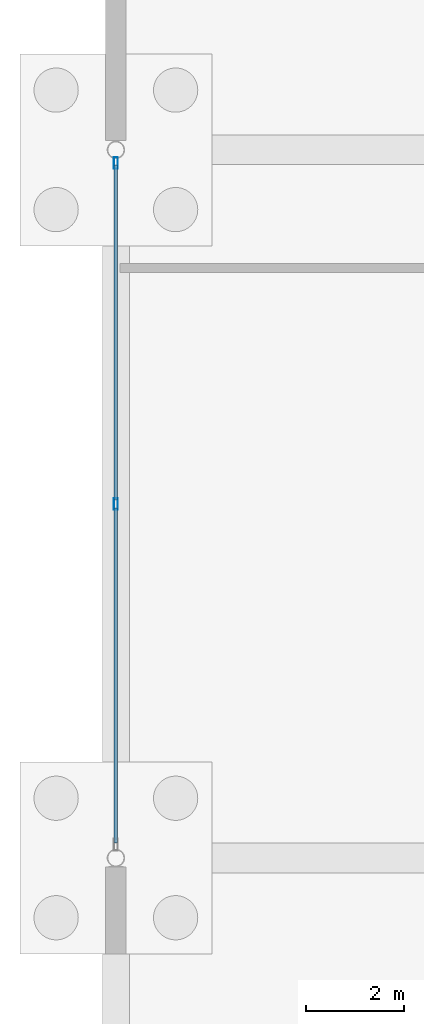
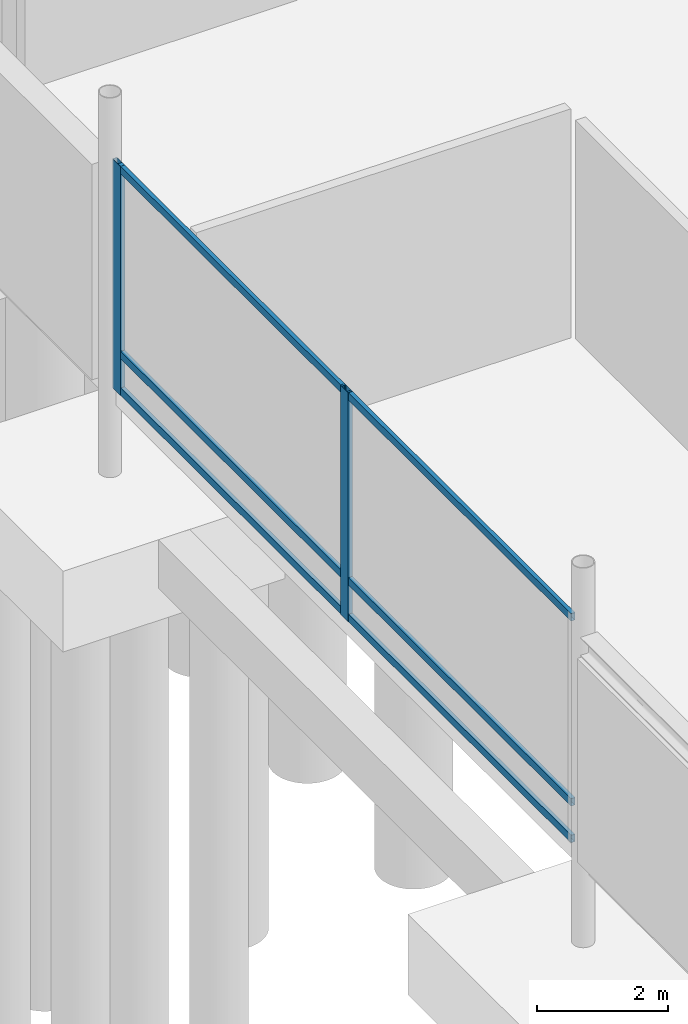
# One storey, part 64 of 192: 8 members, 1 element without a shape of its own.
"""IFC4 building model written with IfcOpenShell, lengths in metres."""

import ifcopenshell
import ifcopenshell.guid

model = None  # the IFC model being written
_history = None  # IfcOwnerHistory: only IFC2X3 demands one
_inside = {}  # id of a spatial element -> (the spatial element, [elements in it])
_under = {}  # id of a project, library or spatial element -> (it, [spatial elements below it])
_declared = {}  # id of a project -> (the project, [libraries it declares])
_typed = {}  # id of a type object -> (the type object, [elements of that type])
_made_of = {}  # id of a material, layer set ... -> (it, [elements and type objects made of it])


def new_model(schema):
    """Start an empty IFC model of exactly this schema.

    Asked for "IFC4X3", IfcOpenShell would pick the latest addendum, in which some entities
    have other attributes; the version numbers below select the first issue.
    IFC2X3 requires an IfcOwnerHistory on every rooted entity: one is made here for all.
    """
    global model, _history
    if schema == "IFC4X3":
        model = ifcopenshell.file(schema_version=(4, 3, 0, 0))
    else:
        model = ifcopenshell.file(schema=schema)
    _inside.clear()
    _under.clear()
    _declared.clear()
    _typed.clear()
    _made_of.clear()
    _history = None
    if model.schema == "IFC2X3":
        org = make("IfcOrganization", Name="unknown")
        user = make(
            "IfcPersonAndOrganization",
            ThePerson=make("IfcPerson", FamilyName="unknown"),
            TheOrganization=org,
        )
        app = make(
            "IfcApplication",
            ApplicationDeveloper=org,
            Version="unknown",
            ApplicationFullName="unknown",
            ApplicationIdentifier="unknown",
        )
        _history = make(
            "IfcOwnerHistory",
            OwningUser=user,
            OwningApplication=app,
            ChangeAction="ADDED",
            CreationDate=0,
        )
    return model


def make(cls, **values):
    """One entity of the class cls with the attributes given. An attribute that is None is left unset."""
    return model.create_entity(
        cls, **{name: value for name, value in values.items() if value is not None}
    )


def rooted(cls, **values):
    """An entity with a GlobalId (a new one), such as an element, a storey or a relation."""
    return make(cls, GlobalId=ifcopenshell.guid.new(), OwnerHistory=_history, **values)


def si_unit(unit_type, name, prefix=None):
    """IfcSIUnit, for example si_unit("LENGTHUNIT", "METRE", prefix="MILLI")."""
    return make("IfcSIUnit", UnitType=unit_type, Prefix=prefix, Name=name)


def assignment(units):
    """IfcUnitAssignment: the units of a project."""
    return None if units is None else make("IfcUnitAssignment", Units=units)


def point(xyz):
    """IfcCartesianPoint."""
    return None if xyz is None else make("IfcCartesianPoint", Coordinates=xyz)


def direction(xyz):
    """IfcDirection."""
    return None if xyz is None else make("IfcDirection", DirectionRatios=xyz)


def frame(location, z_axis=None, x_axis=None):
    """IfcAxis2Placement3D, a coordinate frame: its origin and axes. An axis left out is left unset."""
    return make(
        "IfcAxis2Placement3D",
        Location=point(location),
        Axis=direction(z_axis),
        RefDirection=direction(x_axis),
    )


def frame_2d(location, x_axis=None):
    """IfcAxis2Placement2D, a coordinate frame in the plane: its origin and x axis."""
    return make(
        "IfcAxis2Placement2D", Location=point(location), RefDirection=direction(x_axis)
    )


def origin():
    """The frame at (0, 0, 0) with its axes left unset."""
    return frame((0.0, 0.0, 0.0))


def origin_2d():
    """The frame at (0, 0) in the plane with its x axis left unset."""
    return frame_2d((0.0, 0.0))


def place(relative_to, where):
    """IfcLocalPlacement: puts the frame where relative to a parent placement (None: the world)."""
    return make(
        "IfcLocalPlacement", PlacementRelTo=relative_to, RelativePlacement=where
    )


def context(
    kind, dimensions, precision=None, world=None, true_north=None, identifier=None
):
    """IfcGeometricRepresentationContext, for example the 3D "Model" context."""
    return make(
        "IfcGeometricRepresentationContext",
        ContextIdentifier=identifier,
        ContextType=kind,
        CoordinateSpaceDimension=dimensions,
        Precision=precision,
        WorldCoordinateSystem=world,
        TrueNorth=true_north,
    )


def subcontext(parent, identifier, kind, view, scale=None):
    """IfcGeometricRepresentationSubContext, for example "Body" below "Model"."""
    return make(
        "IfcGeometricRepresentationSubContext",
        ContextIdentifier=identifier,
        ContextType=kind,
        ParentContext=parent,
        TargetScale=scale,
        TargetView=view,
    )


def project(units=None, contexts=None):
    """IfcProject with its units and contexts."""
    return rooted(
        "IfcProject",
        Name="project",
        RepresentationContexts=contexts,
        UnitsInContext=assignment(units),
    )


def spatial(cls, under=None, at=None, **own):
    """A site, building, storey or space (cls), placed at a placement, below another one or the project."""
    s = rooted(cls, ObjectPlacement=at, **own)
    if under is not None:
        _under.setdefault(under.id(), (under, []))[1].append(s)
    return s


def profile(cls, at=None, kind="AREA", **sizes):
    """A parametric profile (cls). Its sizes go by their IFC names, for example OverallWidth=200.0."""
    return make(cls, ProfileType=kind, Position=at, **sizes)


def hollow_rectangle(**sizes):
    """IfcRectangleHollowProfileDef."""
    return profile("IfcRectangleHollowProfileDef", **sizes)


def extrude(swept, where, along, depth):
    """IfcExtrudedAreaSolid: the profile swept, set in the frame where, extruded along a direction by depth."""
    return make(
        "IfcExtrudedAreaSolid",
        SweptArea=swept,
        Position=where,
        ExtrudedDirection=direction(along),
        Depth=depth,
    )


def shape(context_of_items, identifier, shape_type, items):
    """IfcShapeRepresentation: the items that make up one representation, for example the "Body"."""
    return make(
        "IfcShapeRepresentation",
        ContextOfItems=context_of_items,
        RepresentationIdentifier=identifier,
        RepresentationType=shape_type,
        Items=items,
    )


def material(Name=None, Category=None):
    """IfcMaterial."""
    return make("IfcMaterial", Name=Name, Category=Category)


def material_profile(
    of_material, cross_section, Name=None, Category=None, Priority=None
):
    """IfcMaterialProfile: a cross section and its material."""
    return make(
        "IfcMaterialProfile",
        Name=Name,
        Material=of_material,
        Profile=cross_section,
        Priority=Priority,
        Category=Category,
    )


def profile_set(profiles, Name=None, composite=None):
    """IfcMaterialProfileSet."""
    return make(
        "IfcMaterialProfileSet",
        Name=Name,
        MaterialProfiles=profiles,
        CompositeProfile=composite,
    )


def made_of(thing, what):
    """Note that an element or type object is made of a material, layer set ...; save() writes the relation."""
    if what is not None:
        _made_of.setdefault(what.id(), (what, []))[1].append(thing)
    return thing


def type_object(cls, material=None, **own):
    """A type object (cls), such as IfcWallType, which elements share."""
    return made_of(rooted(cls, **own), material)


def element(
    cls,
    number,
    at=None,
    inside=None,
    cuts=None,
    type_object=None,
    material=None,
    context=None,
    identifier="Body",
    shape_type=None,
    held_by="IfcProductDefinitionShape",
    body=None,
    shapes=None,
    **own,
):
    """One element of the class cls, such as IfcWall. Its Tag is "e" and its number.

    at: its placement. inside: the storey or other place that contains it. cuts: it is an
    opening in that element (IfcRelVoidsElement). A single representation is given by context,
    identifier, shape_type and body (its items); several are given by shapes. held_by: the class
    of the entity that holds the representations. save() writes the other relations.
    """
    e = rooted(cls, Tag="e%d" % number, ObjectPlacement=at, **own)
    if body is not None:
        shapes = [shape(context, identifier, shape_type, body)]
    if shapes is not None:
        e.Representation = make(held_by, Representations=shapes)
    if inside is not None:
        _inside.setdefault(inside.id(), (inside, []))[1].append(e)
    if cuts is not None:
        rooted(
            "IfcRelVoidsElement", RelatingBuildingElement=cuts, RelatedOpeningElement=e
        )
    if type_object is not None:
        _typed.setdefault(type_object.id(), (type_object, []))[1].append(e)
    return made_of(e, material)


def aggregate(whole, parts):
    """IfcRelAggregates: a whole, such as a stair, and the parts it consists of."""
    return rooted("IfcRelAggregates", RelatingObject=whole, RelatedObjects=parts)


def save(model, path):
    """Write the relations noted so far, then the file.

    IfcRelAggregates (storeys below a building ...), IfcRelContainedInSpatialStructure (elements
    in a storey), IfcRelDefinesByType, IfcRelAssociatesMaterial and IfcRelDeclares: one each for
    every whole, place, type object, material and project.
    """
    for whole, parts in _under.values():
        aggregate(whole, parts)
    for where, things in _inside.values():
        rooted(
            "IfcRelContainedInSpatialStructure",
            RelatedElements=things,
            RelatingStructure=where,
        )
    for kind, things in _typed.values():
        rooted("IfcRelDefinesByType", RelatedObjects=things, RelatingType=kind)
    for what, things in _made_of.values():
        rooted("IfcRelAssociatesMaterial", RelatedObjects=things, RelatingMaterial=what)
    for by, libraries in _declared.values():
        rooted("IfcRelDeclares", RelatingContext=by, RelatedDefinitions=libraries)
    model.write(path)


model = new_model("IFC4")

# Units and contexts
model_context = context("Model", 3, precision=1e-05, world=origin(), true_north=direction((0.0, 1.0)))
body_context = subcontext(model_context, "Body", "Model", "MODEL_VIEW")
ifc_project = project(units=[si_unit("LENGTHUNIT", "METRE"), si_unit("AREAUNIT", "SQUARE_METRE"), si_unit("VOLUMEUNIT", "CUBIC_METRE"), si_unit("PLANEANGLEUNIT", "RADIAN"), si_unit("MASSUNIT", "GRAM", prefix="KILO")], contexts=[model_context])

# Site, building, storey
site_placement = place(None, origin())
site = spatial("IfcSite", under=ifc_project, at=site_placement, CompositionType="ELEMENT")
building_placement = place(site_placement, origin())
building = spatial("IfcBuilding", under=site, at=building_placement, Name="Cendralis Lancet Convention Centre", CompositionType="ELEMENT")
storey_placement = place(building_placement, origin())
storey = spatial("IfcBuildingStorey", under=building, at=storey_placement, Name="L00", CompositionType="ELEMENT", Elevation=0.0)

# Curtain wall, members
ifc_material = material(Name="Anodised bronze architectural aluminium", Category="aluminium")
curtain_wall_type = type_object("IfcCurtainWallType", Name="ARC-CW-GB01", PredefinedType="USERDEFINED", material=ifc_material)
curtain_wall_placement = place(storey_placement, origin())
curtain_wall = element("IfcCurtainWall", 1, at=curtain_wall_placement, inside=storey, type_object=curtain_wall_type, Name="L00 Curtain Wall CW-GB1 #094", ObjectType="CURTAIN WALL", PredefinedType="USERDEFINED")
ifc_material_profile_1 = material_profile(ifc_material, hollow_rectangle(XDim=0.080078125, YDim=0.239990234375, WallThickness=0.0048828125, at=origin_2d()), Name="AL-MULL 80x240x5.0")
ifc_profile_set_1 = profile_set([ifc_material_profile_1], Name="Anodised bronze architectural aluminium")
member_type_1 = type_object("IfcMemberType", Name="ARC-CW-ML03", PredefinedType="MULLION", material=ifc_profile_set_1)
member_1_placement = place(storey_placement, frame((0.0, 115.199951171875, 0.0), z_axis=(0.0, 0.0, 1.0), x_axis=(1.0, 0.0, 0.0)))
member_1 = element("IfcMember", 2, at=member_1_placement, type_object=member_type_1, Name="Mullion CW2-CW-GB1-L00-094-M1", PredefinedType="MULLION", context=body_context, shape_type="SweptSolid", body=[
    extrude(hollow_rectangle(XDim=0.080078125, YDim=0.239990234375, WallThickness=0.0048828125, at=origin_2d()), origin(), (0.0, 0.0, 1.0), 4.2548828125),
])
member_2_placement = place(storey_placement, frame((0.0, 122.132080078125, 0.0), z_axis=(0.0, 0.0, 1.0), x_axis=(1.0, 0.0, 0.0)))
member_2 = element("IfcMember", 3, at=member_2_placement, type_object=member_type_1, Name="Mullion CW2-CW-GB1-L00-094-M2", PredefinedType="MULLION", context=body_context, shape_type="SweptSolid", body=[
    extrude(hollow_rectangle(XDim=0.080078125, YDim=0.239990234375, WallThickness=0.0048828125, at=origin_2d()), origin(), (0.0, 0.0, 1.0), 4.2548828125),
])
ifc_material_profile_2 = material_profile(ifc_material, hollow_rectangle(XDim=0.070068359375, YDim=0.139892578125, WallThickness=0.00390625, at=origin_2d()), Name="AL-TRAN 70x140x4.0")
ifc_profile_set_2 = profile_set([ifc_material_profile_2], Name="Anodised bronze architectural aluminium")
member_type_2 = type_object("IfcMemberType", Name="ARC-CW-TR02", PredefinedType="USERDEFINED", material=ifc_profile_set_2)
member_3_placement = place(storey_placement, frame((0.0, 108.307861328125, 0.070068359375), z_axis=(0.0, 1.0, 0.0), x_axis=(-1.0, 0.0, 0.0)))
member_3 = element("IfcMember", 4, at=member_3_placement, type_object=member_type_2, Name="Transom CW2-CW-GB1-L00-094-T0BOT", ObjectType="TRANSOM", PredefinedType="USERDEFINED", context=body_context, shape_type="SweptSolid", body=[
    extrude(hollow_rectangle(XDim=0.070068359375, YDim=0.139892578125, WallThickness=0.00390625, at=origin_2d()), origin(), (0.0, 0.0, 1.0), 6.812255859375),
])
member_4_placement = place(storey_placement, frame((0.0, 108.307861328125, 0.75), z_axis=(0.0, 1.0, 0.0), x_axis=(-1.0, 0.0, 0.0)))
member_4 = element("IfcMember", 5, at=member_4_placement, type_object=member_type_2, Name="Transom CW2-CW-GB1-L00-094-T0MID", ObjectType="TRANSOM", PredefinedType="USERDEFINED", context=body_context, shape_type="SweptSolid", body=[
    extrude(hollow_rectangle(XDim=0.070068359375, YDim=0.139892578125, WallThickness=0.00390625, at=origin_2d()), origin(), (0.0, 0.0, 1.0), 6.812255859375),
])
member_5_placement = place(storey_placement, frame((0.0, 108.307861328125, 4.18505859375), z_axis=(0.0, 1.0, 0.0), x_axis=(-1.0, 0.0, 0.0)))
member_5 = element("IfcMember", 6, at=member_5_placement, type_object=member_type_2, Name="Transom CW2-CW-GB1-L00-094-T0TOP", ObjectType="TRANSOM", PredefinedType="USERDEFINED", context=body_context, shape_type="SweptSolid", body=[
    extrude(hollow_rectangle(XDim=0.070068359375, YDim=0.139892578125, WallThickness=0.00390625, at=origin_2d()), origin(), (0.0, 0.0, 1.0), 6.812255859375),
])
member_6_placement = place(storey_placement, frame((0.0, 115.280029296875, 0.070068359375), z_axis=(0.0, 1.0, 0.0), x_axis=(-1.0, 0.0, 0.0)))
member_6 = element("IfcMember", 7, at=member_6_placement, type_object=member_type_2, Name="Transom CW2-CW-GB1-L00-094-T1BOT", ObjectType="TRANSOM", PredefinedType="USERDEFINED", context=body_context, shape_type="SweptSolid", body=[
    extrude(hollow_rectangle(XDim=0.070068359375, YDim=0.139892578125, WallThickness=0.00390625, at=origin_2d()), origin(), (0.0, 0.0, 1.0), 6.812255859375),
])
member_7_placement = place(storey_placement, frame((0.0, 115.280029296875, 0.75), z_axis=(0.0, 1.0, 0.0), x_axis=(-1.0, 0.0, 0.0)))
member_7 = element("IfcMember", 8, at=member_7_placement, type_object=member_type_2, Name="Transom CW2-CW-GB1-L00-094-T1MID", ObjectType="TRANSOM", PredefinedType="USERDEFINED", context=body_context, shape_type="SweptSolid", body=[
    extrude(hollow_rectangle(XDim=0.070068359375, YDim=0.139892578125, WallThickness=0.00390625, at=origin_2d()), origin(), (0.0, 0.0, 1.0), 6.812255859375),
])
member_8_placement = place(storey_placement, frame((0.0, 115.280029296875, 4.18505859375), z_axis=(0.0, 1.0, 0.0), x_axis=(-1.0, 0.0, 0.0)))
member_8 = element("IfcMember", 9, at=member_8_placement, type_object=member_type_2, Name="Transom CW2-CW-GB1-L00-094-T1TOP", ObjectType="TRANSOM", PredefinedType="USERDEFINED", context=body_context, shape_type="SweptSolid", body=[
    extrude(hollow_rectangle(XDim=0.070068359375, YDim=0.139892578125, WallThickness=0.00390625, at=origin_2d()), origin(), (0.0, 0.0, 1.0), 6.812255859375),
])
aggregate(curtain_wall, [member_1, member_2, member_3, member_4, member_5, member_6, member_7, member_8])

save(model, "model.ifc")
